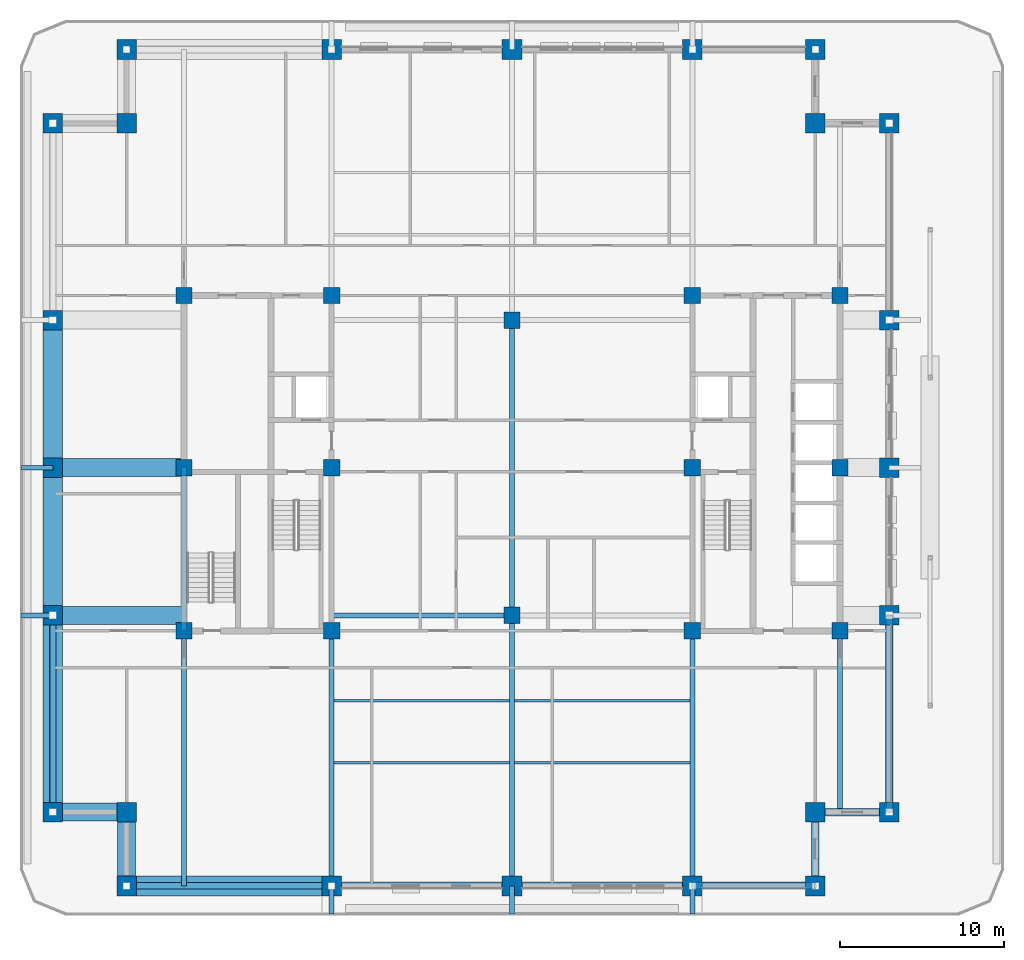
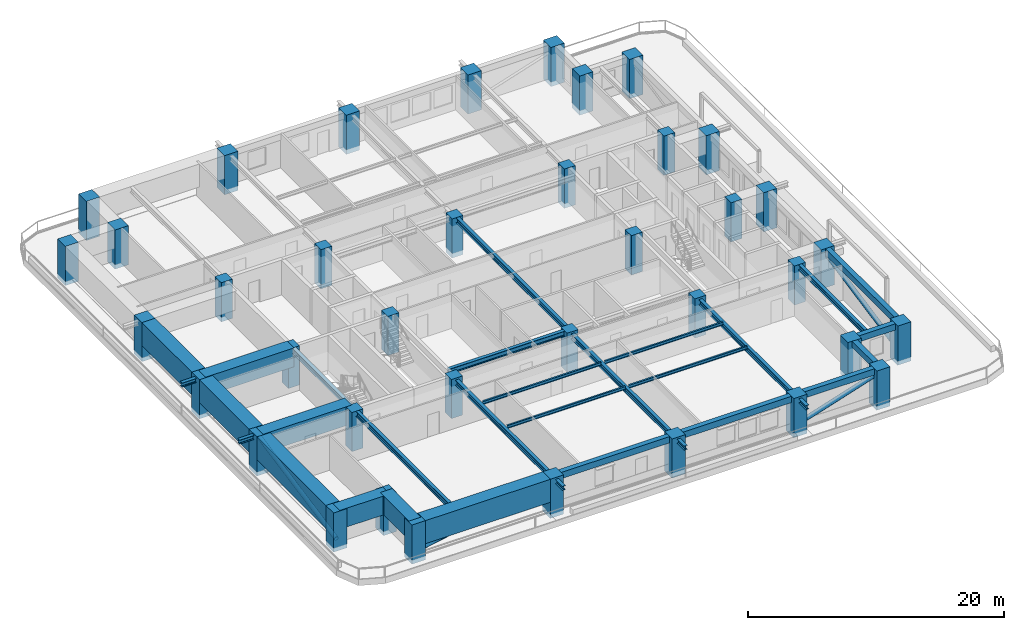
# One storey, part 1 of 17: 38 columns, 31 beams, 4 members.
"""IFC4 building model written with IfcOpenShell, lengths in metres."""

import ifcopenshell
import ifcopenshell.guid

model = None  # the IFC model being written
_history = None  # IfcOwnerHistory: only IFC2X3 demands one
_inside = {}  # id of a spatial element -> (the spatial element, [elements in it])
_under = {}  # id of a project, library or spatial element -> (it, [spatial elements below it])
_declared = {}  # id of a project -> (the project, [libraries it declares])
_typed = {}  # id of a type object -> (the type object, [elements of that type])
_made_of = {}  # id of a material, layer set ... -> (it, [elements and type objects made of it])


def new_model(schema):
    """Start an empty IFC model of exactly this schema.

    Asked for "IFC4X3", IfcOpenShell would pick the latest addendum, in which some entities
    have other attributes; the version numbers below select the first issue.
    IFC2X3 requires an IfcOwnerHistory on every rooted entity: one is made here for all.
    """
    global model, _history
    if schema == "IFC4X3":
        model = ifcopenshell.file(schema_version=(4, 3, 0, 0))
    else:
        model = ifcopenshell.file(schema=schema)
    _inside.clear()
    _under.clear()
    _declared.clear()
    _typed.clear()
    _made_of.clear()
    _history = None
    if model.schema == "IFC2X3":
        org = make("IfcOrganization", Name="unknown")
        user = make(
            "IfcPersonAndOrganization",
            ThePerson=make("IfcPerson", FamilyName="unknown"),
            TheOrganization=org,
        )
        app = make(
            "IfcApplication",
            ApplicationDeveloper=org,
            Version="unknown",
            ApplicationFullName="unknown",
            ApplicationIdentifier="unknown",
        )
        _history = make(
            "IfcOwnerHistory",
            OwningUser=user,
            OwningApplication=app,
            ChangeAction="ADDED",
            CreationDate=0,
        )
    return model


def make(cls, **values):
    """One entity of the class cls with the attributes given. An attribute that is None is left unset."""
    return model.create_entity(
        cls, **{name: value for name, value in values.items() if value is not None}
    )


def rooted(cls, **values):
    """An entity with a GlobalId (a new one), such as an element, a storey or a relation."""
    return make(cls, GlobalId=ifcopenshell.guid.new(), OwnerHistory=_history, **values)


def si_unit(unit_type, name, prefix=None):
    """IfcSIUnit, for example si_unit("LENGTHUNIT", "METRE", prefix="MILLI")."""
    return make("IfcSIUnit", UnitType=unit_type, Prefix=prefix, Name=name)


def assignment(units):
    """IfcUnitAssignment: the units of a project."""
    return None if units is None else make("IfcUnitAssignment", Units=units)


def point(xyz):
    """IfcCartesianPoint."""
    return None if xyz is None else make("IfcCartesianPoint", Coordinates=xyz)


def direction(xyz):
    """IfcDirection."""
    return None if xyz is None else make("IfcDirection", DirectionRatios=xyz)


def frame(location, z_axis=None, x_axis=None):
    """IfcAxis2Placement3D, a coordinate frame: its origin and axes. An axis left out is left unset."""
    return make(
        "IfcAxis2Placement3D",
        Location=point(location),
        Axis=direction(z_axis),
        RefDirection=direction(x_axis),
    )


def frame_2d(location, x_axis=None):
    """IfcAxis2Placement2D, a coordinate frame in the plane: its origin and x axis."""
    return make(
        "IfcAxis2Placement2D", Location=point(location), RefDirection=direction(x_axis)
    )


def origin():
    """The frame at (0, 0, 0) with its axes left unset."""
    return frame((0.0, 0.0, 0.0))


def origin_2d():
    """The frame at (0, 0) in the plane with its x axis left unset."""
    return frame_2d((0.0, 0.0))


def place(relative_to, where):
    """IfcLocalPlacement: puts the frame where relative to a parent placement (None: the world)."""
    return make(
        "IfcLocalPlacement", PlacementRelTo=relative_to, RelativePlacement=where
    )


def context(
    kind, dimensions, precision=None, world=None, true_north=None, identifier=None
):
    """IfcGeometricRepresentationContext, for example the 3D "Model" context."""
    return make(
        "IfcGeometricRepresentationContext",
        ContextIdentifier=identifier,
        ContextType=kind,
        CoordinateSpaceDimension=dimensions,
        Precision=precision,
        WorldCoordinateSystem=world,
        TrueNorth=true_north,
    )


def subcontext(parent, identifier, kind, view, scale=None):
    """IfcGeometricRepresentationSubContext, for example "Body" below "Model"."""
    return make(
        "IfcGeometricRepresentationSubContext",
        ContextIdentifier=identifier,
        ContextType=kind,
        ParentContext=parent,
        TargetScale=scale,
        TargetView=view,
    )


def project(units=None, contexts=None):
    """IfcProject with its units and contexts."""
    return rooted(
        "IfcProject",
        Name="project",
        RepresentationContexts=contexts,
        UnitsInContext=assignment(units),
    )


def spatial(cls, under=None, at=None, **own):
    """A site, building, storey or space (cls), placed at a placement, below another one or the project."""
    s = rooted(cls, ObjectPlacement=at, **own)
    if under is not None:
        _under.setdefault(under.id(), (under, []))[1].append(s)
    return s


def profile(cls, at=None, kind="AREA", **sizes):
    """A parametric profile (cls). Its sizes go by their IFC names, for example OverallWidth=200.0."""
    return make(cls, ProfileType=kind, Position=at, **sizes)


def rectangle(**sizes):
    """IfcRectangleProfileDef."""
    return profile("IfcRectangleProfileDef", **sizes)


def hollow_circle(**sizes):
    """IfcCircleHollowProfileDef."""
    return profile("IfcCircleHollowProfileDef", **sizes)


def i_section(**sizes):
    """IfcIShapeProfileDef."""
    return profile("IfcIShapeProfileDef", **sizes)


def extrude(swept, where, along, depth):
    """IfcExtrudedAreaSolid: the profile swept, set in the frame where, extruded along a direction by depth."""
    return make(
        "IfcExtrudedAreaSolid",
        SweptArea=swept,
        Position=where,
        ExtrudedDirection=direction(along),
        Depth=depth,
    )


def shape(context_of_items, identifier, shape_type, items):
    """IfcShapeRepresentation: the items that make up one representation, for example the "Body"."""
    return make(
        "IfcShapeRepresentation",
        ContextOfItems=context_of_items,
        RepresentationIdentifier=identifier,
        RepresentationType=shape_type,
        Items=items,
    )


def material(Name=None, Category=None):
    """IfcMaterial."""
    return make("IfcMaterial", Name=Name, Category=Category)


def material_profile(
    of_material, cross_section, Name=None, Category=None, Priority=None
):
    """IfcMaterialProfile: a cross section and its material."""
    return make(
        "IfcMaterialProfile",
        Name=Name,
        Material=of_material,
        Profile=cross_section,
        Priority=Priority,
        Category=Category,
    )


def profile_set(profiles, Name=None, composite=None):
    """IfcMaterialProfileSet."""
    return make(
        "IfcMaterialProfileSet",
        Name=Name,
        MaterialProfiles=profiles,
        CompositeProfile=composite,
    )


def made_of(thing, what):
    """Note that an element or type object is made of a material, layer set ...; save() writes the relation."""
    if what is not None:
        _made_of.setdefault(what.id(), (what, []))[1].append(thing)
    return thing


def type_object(cls, material=None, **own):
    """A type object (cls), such as IfcWallType, which elements share."""
    return made_of(rooted(cls, **own), material)


def element(
    cls,
    number,
    at=None,
    inside=None,
    cuts=None,
    type_object=None,
    material=None,
    context=None,
    identifier="Body",
    shape_type=None,
    held_by="IfcProductDefinitionShape",
    body=None,
    shapes=None,
    **own,
):
    """One element of the class cls, such as IfcWall. Its Tag is "e" and its number.

    at: its placement. inside: the storey or other place that contains it. cuts: it is an
    opening in that element (IfcRelVoidsElement). A single representation is given by context,
    identifier, shape_type and body (its items); several are given by shapes. held_by: the class
    of the entity that holds the representations. save() writes the other relations.
    """
    e = rooted(cls, Tag="e%d" % number, ObjectPlacement=at, **own)
    if body is not None:
        shapes = [shape(context, identifier, shape_type, body)]
    if shapes is not None:
        e.Representation = make(held_by, Representations=shapes)
    if inside is not None:
        _inside.setdefault(inside.id(), (inside, []))[1].append(e)
    if cuts is not None:
        rooted(
            "IfcRelVoidsElement", RelatingBuildingElement=cuts, RelatedOpeningElement=e
        )
    if type_object is not None:
        _typed.setdefault(type_object.id(), (type_object, []))[1].append(e)
    return made_of(e, material)


def aggregate(whole, parts):
    """IfcRelAggregates: a whole, such as a stair, and the parts it consists of."""
    return rooted("IfcRelAggregates", RelatingObject=whole, RelatedObjects=parts)


def save(model, path):
    """Write the relations noted so far, then the file.

    IfcRelAggregates (storeys below a building ...), IfcRelContainedInSpatialStructure (elements
    in a storey), IfcRelDefinesByType, IfcRelAssociatesMaterial and IfcRelDeclares: one each for
    every whole, place, type object, material and project.
    """
    for whole, parts in _under.values():
        aggregate(whole, parts)
    for where, things in _inside.values():
        rooted(
            "IfcRelContainedInSpatialStructure",
            RelatedElements=things,
            RelatingStructure=where,
        )
    for kind, things in _typed.values():
        rooted("IfcRelDefinesByType", RelatedObjects=things, RelatingType=kind)
    for what, things in _made_of.values():
        rooted("IfcRelAssociatesMaterial", RelatedObjects=things, RelatingMaterial=what)
    for by, libraries in _declared.values():
        rooted("IfcRelDeclares", RelatingContext=by, RelatedDefinitions=libraries)
    model.write(path)


model = new_model("IFC4")

# Units and contexts
model_context = context("Model", 3, precision=1e-05, world=origin(), true_north=direction((0.0, 1.0)))
body_context = subcontext(model_context, "Body", "Model", "MODEL_VIEW")
ifc_project = project(units=[si_unit("LENGTHUNIT", "METRE"), si_unit("AREAUNIT", "SQUARE_METRE"), si_unit("VOLUMEUNIT", "CUBIC_METRE"), si_unit("PLANEANGLEUNIT", "RADIAN"), si_unit("MASSUNIT", "GRAM", prefix="KILO")], contexts=[model_context])

# Site, building, storey
site_placement = place(None, origin())
site = spatial("IfcSite", under=ifc_project, at=site_placement, CompositionType="ELEMENT")
building_placement = place(site_placement, origin())
building = spatial("IfcBuilding", under=site, at=building_placement, Name="Zulmaris Gate Convention Tower", CompositionType="ELEMENT")
storey_placement = place(building_placement, frame((0.0, 0.0, 121.349853515625)))
storey = spatial("IfcBuildingStorey", under=building, at=storey_placement, Name="L30", CompositionType="ELEMENT", Elevation=121.349853515625)

# Columns
ifc_material_1 = material(Name="Concrete C60/75", Category="concrete")
ifc_material_profile_1 = material_profile(ifc_material_1, rectangle(XDim=1.0, YDim=1.0, at=origin_2d()), Name="RC COL 1000x1000")
ifc_profile_set_1 = profile_set([ifc_material_profile_1], Name="Concrete C60/75")
column_type_1 = type_object("IfcColumnType", Name="COL-RC1000", PredefinedType="COLUMN", material=ifc_profile_set_1)
for number, where, z_axis, x_axis, name in (
    (1, (-20.0, -9.949951171875, -0.425048828125), (0.0, 0.0, 1.0), (1.0, 0.0, 0.0), "L30 Column IN--20.00_-9.95"),
    (2, (-20.0, 10.5, -0.425048828125), (0.0, 0.0, 1.0), (1.0, 0.0, 0.0), "L30 Column IN--20.00_+10.50"),
    (3, (-11.0, -9.949951171875, -0.425048828125), (0.0, 0.0, 1.0), (1.0, 0.0, 0.0), "L30 Column IN--11.00_-9.95"),
    (4, (-11.0, 0.0, -0.425048828125), (0.0, 0.0, 1.0), (1.0, 0.0, 0.0), "L30 Column IN--11.00_+0.00"),
    (5, (-11.0, 10.5, -0.425048828125), (0.0, 0.0, 1.0), (1.0, 0.0, 0.0), "L30 Column IN--11.00_+10.50"),
    (6, (11.0, -9.949951171875, -0.425048828125), (0.0, 0.0, 1.0), (1.0, 0.0, 0.0), "L30 Column IN-+11.00_-9.95"),
    (7, (11.0, 0.0, -0.425048828125), (0.0, 0.0, 1.0), (1.0, 0.0, 0.0), "L30 Column IN-+11.00_+0.00"),
    (8, (11.0, 10.5, -0.425048828125), (0.0, 0.0, 1.0), (1.0, 0.0, 0.0), "L30 Column IN-+11.00_+10.50"),
    (9, (20.0, -9.949951171875, -0.425048828125), (0.0, 0.0, 1.0), (1.0, 0.0, 0.0), "L30 Column IN-+20.00_-9.95"),
    (10, (20.0, 10.5, -0.425048828125), (0.0, 0.0, 1.0), (1.0, 0.0, 0.0), "L30 Column IN-+20.00_+10.50"),
    (11, (0.0, -9.0, -0.425048828125), (0.0, 0.0, 1.0), (1.0, 0.0, 0.0), "L30 Column IN-+0.00_-9.00"),
    (12, (0.0, 9.0, -0.425048828125), (0.0, 0.0, 1.0), (1.0, 0.0, 0.0), "L30 Column IN-+0.00_+9.00"),
    (13, (-20.0, 0.0, -0.425048828125), (0.0, 0.0, 1.0), (1.0, 0.0, 0.0), "L30 Column IN--20.00_+0.00"),
    (14, (20.0, 0.0, -0.425048828125), (0.0, 0.0, 1.0), (1.0, 0.0, 0.0), "L30 Column IN-+20.00_+0.00"),
):
    element("IfcColumn", number, at=place(storey_placement, frame(where, z_axis=z_axis, x_axis=x_axis)), inside=storey, type_object=column_type_1, Name=name, PredefinedType="COLUMN", context=body_context, shape_type="SweptSolid", body=[
        extrude(rectangle(XDim=1.0, YDim=1.0, at=origin_2d()), origin(), (0.0, 0.0, 1.0), 3.7451171875),
    ])
ifc_material_2 = material(Name="Concrete C70/85", Category="concrete")
ifc_material_profile_2 = material_profile(ifc_material_2, rectangle(XDim=1.199951171875, YDim=1.199951171875, at=origin_2d()), Name="RC COL 1200x1200")
ifc_profile_set_2 = profile_set([ifc_material_profile_2], Name="Concrete C70/85")
column_type_2 = type_object("IfcColumnType", Name="COL-RC1200", PredefinedType="COLUMN", material=ifc_profile_set_2)
for number, where, z_axis, x_axis, name in (
    (15, (-23.5, -25.5, -0.425048828125), (0.0, 0.0, 1.0), (1.0, 0.0, 0.0), "L30 Column PT--23.50_-25.50"),
    (16, (-11.0, -25.5, -0.425048828125), (0.0, 0.0, 1.0), (1.0, 0.0, 0.0), "L30 Column PT--11.00_-25.50"),
    (17, (0.0, -25.5, -0.425048828125), (0.0, 0.0, 1.0), (1.0, 0.0, 0.0), "L30 Column PT-+0.00_-25.50"),
    (18, (11.0, -25.5, -0.425048828125), (0.0, 0.0, 1.0), (1.0, 0.0, 0.0), "L30 Column PT-+11.00_-25.50"),
    (19, (18.5, -25.5, -0.425048828125), (0.0, 0.0, 1.0), (1.0, 0.0, 0.0), "L30 Column PT-+18.50_-25.50"),
    (20, (-23.5, 25.5, -0.425048828125), (0.0, 0.0, 1.0), (1.0, 0.0, 0.0), "L30 Column PT--23.50_+25.50"),
    (21, (-11.0, 25.5, -0.425048828125), (0.0, 0.0, 1.0), (1.0, 0.0, 0.0), "L30 Column PT--11.00_+25.50"),
    (22, (0.0, 25.5, -0.425048828125), (0.0, 0.0, 1.0), (1.0, 0.0, 0.0), "L30 Column PT-+0.00_+25.50"),
    (23, (11.0, 25.5, -0.425048828125), (0.0, 0.0, 1.0), (1.0, 0.0, 0.0), "L30 Column PT-+11.00_+25.50"),
    (24, (18.5, 25.5, -0.425048828125), (0.0, 0.0, 1.0), (1.0, 0.0, 0.0), "L30 Column PT-+18.50_+25.50"),
    (25, (-28.0, -21.0, -0.425048828125), (0.0, 0.0, 1.0), (1.0, 0.0, 0.0), "L30 Column PT--28.00_-21.00"),
    (26, (-28.0, -9.0, -0.425048828125), (0.0, 0.0, 1.0), (1.0, 0.0, 0.0), "L30 Column PT--28.00_-9.00"),
    (27, (-28.0, 0.0, -0.425048828125), (0.0, 0.0, 1.0), (1.0, 0.0, 0.0), "L30 Column PT--28.00_+0.00"),
    (28, (-28.0, 9.0, -0.425048828125), (0.0, 0.0, 1.0), (1.0, 0.0, 0.0), "L30 Column PT--28.00_+9.00"),
    (29, (-28.0, 21.0, -0.425048828125), (0.0, 0.0, 1.0), (1.0, 0.0, 0.0), "L30 Column PT--28.00_+21.00"),
    (30, (23.0, -21.0, -0.425048828125), (0.0, 0.0, 1.0), (1.0, 0.0, 0.0), "L30 Column PT-+23.00_-21.00"),
    (31, (23.0, -9.0, -0.425048828125), (0.0, 0.0, 1.0), (1.0, 0.0, 0.0), "L30 Column PT-+23.00_-9.00"),
    (32, (23.0, 0.0, -0.425048828125), (0.0, 0.0, 1.0), (1.0, 0.0, 0.0), "L30 Column PT-+23.00_+0.00"),
    (33, (23.0, 9.0, -0.425048828125), (0.0, 0.0, 1.0), (1.0, 0.0, 0.0), "L30 Column PT-+23.00_+9.00"),
    (34, (23.0, 21.0, -0.425048828125), (0.0, 0.0, 1.0), (1.0, 0.0, 0.0), "L30 Column PT-+23.00_+21.00"),
    (35, (-23.5, -21.0, -0.425048828125), (0.0, 0.0, 1.0), (1.0, 0.0, 0.0), "L30 Column PT--23.50_-21.00"),
    (36, (18.5, -21.0, -0.425048828125), (0.0, 0.0, 1.0), (1.0, 0.0, 0.0), "L30 Column PT-+18.50_-21.00"),
    (37, (18.5, 21.0, -0.425048828125), (0.0, 0.0, 1.0), (1.0, 0.0, 0.0), "L30 Column PT-+18.50_+21.00"),
    (38, (-23.5, 21.0, -0.425048828125), (0.0, 0.0, 1.0), (1.0, 0.0, 0.0), "L30 Column PT--23.50_+21.00"),
):
    element("IfcColumn", number, at=place(storey_placement, frame(where, z_axis=z_axis, x_axis=x_axis)), inside=storey, type_object=column_type_2, Name=name, PredefinedType="COLUMN", context=body_context, shape_type="SweptSolid", body=[
        extrude(rectangle(XDim=1.199951171875, YDim=1.199951171875, at=origin_2d()), origin(), (0.0, 0.0, 1.0), 3.7451171875),
    ])

# Beams
ifc_material_3 = material(Name="Steel S355", Category="steel")
ifc_material_profile_3 = material_profile(ifc_material_3, i_section(OverallWidth=0.300048828125, OverallDepth=0.39990234375, WebThickness=0.013427734375, FlangeThickness=0.02392578125, FilletRadius=0.027099609375, at=origin_2d()), Name="HEB 400")
ifc_profile_set_3 = profile_set([ifc_material_profile_3], Name="Steel S355")
beam_type_1 = type_object("IfcBeamType", Name="BM-HEB400", PredefinedType="BEAM", material=ifc_profile_set_3)
for number, where, z_axis, x_axis, name in (
    (39, (-11.0, -27.199951171875, 2.943115234375), (0.0, 1.0, 0.0), (-1.0, 0.0, 0.0), "L30 Beam TBRK-L30-S--11"),
    (40, (0.0, -27.199951171875, 2.943115234375), (0.0, 1.0, 0.0), (-1.0, 0.0, 0.0), "L30 Beam TBRK-L30-S-+0"),
    (41, (11.0, -27.199951171875, 2.943115234375), (0.0, 1.0, 0.0), (-1.0, 0.0, 0.0), "L30 Beam TBRK-L30-S-+11"),
):
    element("IfcBeam", number, at=place(storey_placement, frame(where, z_axis=z_axis, x_axis=x_axis)), inside=storey, type_object=beam_type_1, Name=name, PredefinedType="BEAM", context=body_context, shape_type="SweptSolid", body=[
        extrude(i_section(OverallWidth=0.300048828125, OverallDepth=0.39990234375, WebThickness=0.013427734375, FlangeThickness=0.02392578125, FilletRadius=0.027099609375, at=origin_2d()), origin(), (0.0, 0.0, 1.0), 1.699951171875),
    ])
for number, where, z_axis, x_axis, name in (
    (42, (-29.89990234375, -9.0, 2.97998046875), (1.0, 0.0, 0.0), (0.0, 1.0, 0.0), "L30 Beam TBRK-L30-W--9"),
    (43, (-29.89990234375, 0.0, 2.97998046875), (1.0, 0.0, 0.0), (0.0, 1.0, 0.0), "L30 Beam TBRK-L30-W-+0"),
):
    element("IfcBeam", number, at=place(storey_placement, frame(where, z_axis=z_axis, x_axis=x_axis)), inside=storey, type_object=beam_type_1, Name=name, PredefinedType="BEAM", context=body_context, shape_type="SweptSolid", body=[
        extrude(i_section(OverallWidth=0.300048828125, OverallDepth=0.39990234375, WebThickness=0.013427734375, FlangeThickness=0.02392578125, FilletRadius=0.027099609375, at=origin_2d()), origin(), (0.0, 0.0, 1.0), 1.89990234375),
    ])
ifc_material_profile_4 = material_profile(ifc_material_3, i_section(OverallWidth=0.300048828125, OverallDepth=0.5, WebThickness=0.014404296875, FlangeThickness=0.028076171875, FilletRadius=0.027099609375, at=origin_2d()), Name="HEB 500")
ifc_profile_set_4 = profile_set([ifc_material_profile_4], Name="Steel S355")
beam_type_2 = type_object("IfcBeamType", Name="BM-HEB500", PredefinedType="BEAM", material=ifc_profile_set_4)
beam_1_placement = place(storey_placement, frame((-11.0, -9.0, 3.068115234375), z_axis=(1.0, 0.0, 0.0), x_axis=(0.0, 1.0, 0.0)))
element("IfcBeam", 44, at=beam_1_placement, inside=storey, type_object=beam_type_2, Name="L30 Beam BM-L30-G01", PredefinedType="BEAM", context=body_context, shape_type="SweptSolid", body=[
    extrude(i_section(OverallWidth=0.300048828125, OverallDepth=0.5, WebThickness=0.014404296875, FlangeThickness=0.028076171875, FilletRadius=0.027099609375, at=origin_2d()), origin(), (0.0, 0.0, 1.0), 11.0),
])
beam_2_placement = place(storey_placement, frame((0.0, -25.5, 2.89306640625), z_axis=(0.0, 1.0, 0.0), x_axis=(-1.0, 0.0, 0.0)))
element("IfcBeam", 45, at=beam_2_placement, inside=storey, type_object=beam_type_2, Name="L30 Beam BM-L30-G05", PredefinedType="BEAM", context=body_context, shape_type="SweptSolid", body=[
    extrude(i_section(OverallWidth=0.300048828125, OverallDepth=0.5, WebThickness=0.014404296875, FlangeThickness=0.028076171875, FilletRadius=0.027099609375, at=origin_2d()), origin(), (0.0, 0.0, 1.0), 16.5),
])
beam_3_placement = place(storey_placement, frame((0.0, -9.0, 3.068115234375), z_axis=(0.0, 1.0, 0.0), x_axis=(-1.0, 0.0, 0.0)))
element("IfcBeam", 46, at=beam_3_placement, inside=storey, type_object=beam_type_2, Name="L30 Beam BM-L30-G06", PredefinedType="BEAM", context=body_context, shape_type="SweptSolid", body=[
    extrude(i_section(OverallWidth=0.300048828125, OverallDepth=0.5, WebThickness=0.014404296875, FlangeThickness=0.028076171875, FilletRadius=0.027099609375, at=origin_2d()), origin(), (0.0, 0.0, 1.0), 18.0),
])
for number, where, z_axis, x_axis, name in (
    (47, (-11.0, -25.5, 2.89306640625), (0.0, 1.0, 0.0), (-1.0, 0.0, 0.0), "L30 Beam BM-L30-G08"),
    (48, (11.0, -25.5, 2.89306640625), (0.0, 1.0, 0.0), (-1.0, 0.0, 0.0), "L30 Beam BM-L30-G10"),
    (49, (-20.0, -25.5, 3.068115234375), (0.0, 1.0, 0.0), (-1.0, 0.0, 0.0), "L30 Beam BM-L30-G12"),
):
    element("IfcBeam", number, at=place(storey_placement, frame(where, z_axis=z_axis, x_axis=x_axis)), inside=storey, type_object=beam_type_2, Name=name, PredefinedType="BEAM", context=body_context, shape_type="SweptSolid", body=[
        extrude(i_section(OverallWidth=0.300048828125, OverallDepth=0.5, WebThickness=0.014404296875, FlangeThickness=0.028076171875, FilletRadius=0.027099609375, at=origin_2d()), origin(), (0.0, 0.0, 1.0), 15.550048828125),
    ])
beam_4_placement = place(storey_placement, frame((20.0, -21.0, 3.068115234375), z_axis=(0.0, 1.0, 0.0), x_axis=(-1.0, 0.0, 0.0)))
element("IfcBeam", 50, at=beam_4_placement, inside=storey, type_object=beam_type_2, Name="L30 Beam BM-L30-G14", PredefinedType="BEAM", context=body_context, shape_type="SweptSolid", body=[
    extrude(i_section(OverallWidth=0.300048828125, OverallDepth=0.5, WebThickness=0.014404296875, FlangeThickness=0.028076171875, FilletRadius=0.027099609375, at=origin_2d()), origin(), (0.0, 0.0, 1.0), 11.050048828125),
])
beam_5_placement = place(storey_placement, frame((-20.0, -9.949951171875, 3.068115234375), z_axis=(0.0, 1.0, 0.0), x_axis=(-1.0, 0.0, 0.0)))
element("IfcBeam", 51, at=beam_5_placement, inside=storey, type_object=beam_type_2, Name="L30 Beam BM-L30-G26", PredefinedType="BEAM", context=body_context, shape_type="SweptSolid", body=[
    extrude(i_section(OverallWidth=0.300048828125, OverallDepth=0.5, WebThickness=0.014404296875, FlangeThickness=0.028076171875, FilletRadius=0.027099609375, at=origin_2d()), origin(), (0.0, 0.0, 1.0), 9.949951171875),
])
ifc_material_4 = material(Name="Precast concrete C50/60", Category="concrete")
ifc_material_profile_5 = material_profile(ifc_material_4, rectangle(XDim=0.449951171875, YDim=0.60009765625, at=origin_2d()), Name="RC SPANDREL 450x600")
ifc_profile_set_5 = profile_set([ifc_material_profile_5], Name="Precast concrete C50/60")
beam_type_3 = type_object("IfcBeamType", Name="BM-SP450x600", PredefinedType="SPANDREL", material=ifc_profile_set_5)
for number, where, z_axis, x_axis, name in (
    (52, (-11.0, -25.5, 3.02001953125), (1.0, 0.0, 0.0), (0.0, 1.0, 0.0), "L30 Spandrel SP-L30-02"),
    (53, (0.0, -25.5, 3.02001953125), (1.0, 0.0, 0.0), (0.0, 1.0, 0.0), "L30 Spandrel SP-L30-03"),
):
    element("IfcBeam", number, at=place(storey_placement, frame(where, z_axis=z_axis, x_axis=x_axis)), inside=storey, type_object=beam_type_3, Name=name, PredefinedType="SPANDREL", context=body_context, shape_type="SweptSolid", body=[
        extrude(rectangle(XDim=0.449951171875, YDim=0.60009765625, at=origin_2d()), origin(), (0.0, 0.0, 1.0), 11.0),
    ])
beam_6_placement = place(storey_placement, frame((11.0, -25.5, 3.02001953125), z_axis=(1.0, 0.0, 0.0), x_axis=(0.0, 1.0, 0.0)))
element("IfcBeam", 54, at=beam_6_placement, inside=storey, type_object=beam_type_3, Name="L30 Spandrel SP-L30-04", PredefinedType="SPANDREL", context=body_context, shape_type="SweptSolid", body=[
    extrude(rectangle(XDim=0.449951171875, YDim=0.60009765625, at=origin_2d()), origin(), (0.0, 0.0, 1.0), 7.5),
])
for number, where, z_axis, x_axis, name in (
    (55, (18.5, -25.5, 3.02001953125), (0.0, 1.0, 0.0), (-1.0, 0.0, 0.0), "L30 Spandrel SP-L30-05"),
    (56, (18.5, -21.0, 3.02001953125), (1.0, 0.0, 0.0), (0.0, 1.0, 0.0), "L30 Spandrel SP-L30-06"),
):
    element("IfcBeam", number, at=place(storey_placement, frame(where, z_axis=z_axis, x_axis=x_axis)), inside=storey, type_object=beam_type_3, Name=name, PredefinedType="SPANDREL", context=body_context, shape_type="SweptSolid", body=[
        extrude(rectangle(XDim=0.449951171875, YDim=0.60009765625, at=origin_2d()), origin(), (0.0, 0.0, 1.0), 4.5),
    ])
beam_7_placement = place(storey_placement, frame((23.0, -21.0, 3.02001953125), z_axis=(0.0, 1.0, 0.0), x_axis=(-1.0, 0.0, 0.0)))
element("IfcBeam", 57, at=beam_7_placement, inside=storey, type_object=beam_type_3, Name="L30 Spandrel SP-L30-07", PredefinedType="SPANDREL", context=body_context, shape_type="SweptSolid", body=[
    extrude(rectangle(XDim=0.449951171875, YDim=0.60009765625, at=origin_2d()), origin(), (0.0, 0.0, 1.0), 12.0),
])
ifc_material_5 = material(Name="Concrete C80/95", Category="concrete")
ifc_material_profile_6 = material_profile(ifc_material_5, rectangle(XDim=1.10009765625, YDim=1.800048828125, at=origin_2d()), Name="RC TRANSFER 1100x1800")
ifc_profile_set_6 = profile_set([ifc_material_profile_6], Name="Concrete C80/95")
beam_type_4 = type_object("IfcBeamType", Name="BM-XFER1800", PredefinedType="BEAM", material=ifc_profile_set_6)
for number, where, z_axis, x_axis, name in (
    (58, (-28.0, -21.0, 2.420166015625), (1.0, 0.0, 0.0), (0.0, 1.0, 0.0), "L30 Beam SP-L30-23"),
    (59, (-23.5, -21.0, 2.420166015625), (0.0, -1.0, 0.0), (1.0, 0.0, 0.0), "L30 Beam SP-L30-24"),
):
    element("IfcBeam", number, at=place(storey_placement, frame(where, z_axis=z_axis, x_axis=x_axis)), inside=storey, type_object=beam_type_4, Name=name, PredefinedType="BEAM", context=body_context, shape_type="SweptSolid", body=[
        extrude(rectangle(XDim=1.10009765625, YDim=1.800048828125, at=origin_2d()), origin(), (0.0, 0.0, 1.0), 4.5),
    ])
for number, where, z_axis, x_axis, name in (
    (60, (-28.0, -9.0, 2.420166015625), (1.0, 0.0, 0.0), (0.0, 1.0, 0.0), "L30 Beam BM-L30-G16"),
    (61, (-28.0, 0.0, 2.420166015625), (1.0, 0.0, 0.0), (0.0, 1.0, 0.0), "L30 Beam BM-L30-G17"),
):
    element("IfcBeam", number, at=place(storey_placement, frame(where, z_axis=z_axis, x_axis=x_axis)), inside=storey, type_object=beam_type_4, Name=name, PredefinedType="BEAM", context=body_context, shape_type="SweptSolid", body=[
        extrude(rectangle(XDim=1.10009765625, YDim=1.800048828125, at=origin_2d()), origin(), (0.0, 0.0, 1.0), 8.0),
    ])
ifc_material_profile_7 = material_profile(ifc_material_5, rectangle(XDim=1.199951171875, YDim=2.199951171875, at=origin_2d()), Name="RC TRANSFER 1200x2200")
ifc_profile_set_7 = profile_set([ifc_material_profile_7], Name="Concrete C80/95")
beam_type_5 = type_object("IfcBeamType", Name="BM-XFER2200", PredefinedType="BEAM", material=ifc_profile_set_7)
beam_8_placement = place(storey_placement, frame((-23.5, -25.5, 2.219970703125), z_axis=(1.0, 0.0, 0.0), x_axis=(0.0, 1.0, 0.0)))
element("IfcBeam", 62, at=beam_8_placement, inside=storey, type_object=beam_type_5, Name="L30 Beam SP-L30-01", PredefinedType="BEAM", context=body_context, shape_type="SweptSolid", body=[
    extrude(rectangle(XDim=1.199951171875, YDim=2.199951171875, at=origin_2d()), origin(), (0.0, 0.0, 1.0), 12.5),
])
for number, where, z_axis, x_axis, name in (
    (63, (-28.0, 9.0, 2.219970703125), (0.0, -1.0, 0.0), (1.0, 0.0, 0.0), "L30 Beam SP-L30-20"),
    (64, (-28.0, 0.0, 2.219970703125), (0.0, -1.0, 0.0), (1.0, 0.0, 0.0), "L30 Beam SP-L30-21"),
):
    element("IfcBeam", number, at=place(storey_placement, frame(where, z_axis=z_axis, x_axis=x_axis)), inside=storey, type_object=beam_type_5, Name=name, PredefinedType="BEAM", context=body_context, shape_type="SweptSolid", body=[
        extrude(rectangle(XDim=1.199951171875, YDim=2.199951171875, at=origin_2d()), origin(), (0.0, 0.0, 1.0), 9.0),
    ])
beam_9_placement = place(storey_placement, frame((-28.0, -9.0, 2.219970703125), z_axis=(0.0, -1.0, 0.0), x_axis=(1.0, 0.0, 0.0)))
element("IfcBeam", 65, at=beam_9_placement, inside=storey, type_object=beam_type_5, Name="L30 Beam SP-L30-22", PredefinedType="BEAM", context=body_context, shape_type="SweptSolid", body=[
    extrude(rectangle(XDim=1.199951171875, YDim=2.199951171875, at=origin_2d()), origin(), (0.0, 0.0, 1.0), 12.0),
])

# Members
ifc_material_6 = material(Name="Steel S460", Category="steel")
ifc_material_profile_8 = material_profile(ifc_material_6, hollow_circle(Radius=0.203125, WallThickness=0.02001953125, at=origin_2d()), Name="CHS 406.4x20")
ifc_profile_set_8 = profile_set([ifc_material_profile_8], Name="Steel S460")
member_type = type_object("IfcMemberType", Name="BR-CHS406", PredefinedType="BRACE", material=ifc_profile_set_8)
for number, where, z_axis, x_axis, name in (
    (66, (-28.0, -21.0, 0.300048828125), (0.0, 0.980582210276, 0.196108462057), (-1.0, 0.0, 0.0), "L30 Perimeter Tube Diagonal SW-W"),
    (67, (23.0, -21.0, 0.300048828125), (0.0, 0.980582210276, 0.196108462057), (-1.0, 0.0, 0.0), "L30 Perimeter Tube Diagonal SE-E"),
):
    element("IfcMember", number, at=place(storey_placement, frame(where, z_axis=z_axis, x_axis=x_axis)), inside=storey, type_object=member_type, Name=name, PredefinedType="BRACE", context=body_context, shape_type="SweptSolid", body=[
        extrude(hollow_circle(Radius=0.203125, WallThickness=0.02001953125, at=origin_2d()), origin(), (0.0, 0.0, 1.0), 12.237548828125),
    ])
member_1_placement = place(storey_placement, frame((-23.5, -25.5, 0.300048828125), z_axis=(0.982063862241, 0.0, 0.188548589176), x_axis=(0.0, 1.0, 0.0)))
element("IfcMember", 68, at=member_1_placement, inside=storey, type_object=member_type, Name="L30 Perimeter Tube Diagonal SW-S", PredefinedType="BRACE", context=body_context, shape_type="SweptSolid", body=[
    extrude(hollow_circle(Radius=0.203125, WallThickness=0.02001953125, at=origin_2d()), origin(), (0.0, 0.0, 1.0), 12.728271484375),
])
member_2_placement = place(storey_placement, frame((11.0, -25.5, 0.300048828125), z_axis=(0.95242774696, 0.0, 0.304764477624), x_axis=(0.0, 1.0, 0.0)))
element("IfcMember", 69, at=member_2_placement, inside=storey, type_object=member_type, Name="L30 Perimeter Tube Diagonal SE-S", PredefinedType="BRACE", context=body_context, shape_type="SweptSolid", body=[
    extrude(hollow_circle(Radius=0.203125, WallThickness=0.02001953125, at=origin_2d()), origin(), (0.0, 0.0, 1.0), 7.87451171875),
])

# Beams
ifc_material_profile_9 = material_profile(ifc_material_3, i_section(OverallWidth=0.14990234375, OverallDepth=0.300048828125, WebThickness=0.007080078125, FlangeThickness=0.0107421875, FilletRadius=0.014892578125, at=origin_2d()), Name="IPE 300")
ifc_profile_set_9 = profile_set([ifc_material_profile_9], Name="Steel S355")
beam_type_6 = type_object("IfcBeamType", Name="JT-IPE300", PredefinedType="JOIST", material=ifc_profile_set_9)
for number, where, z_axis, x_axis, name in (
    (70, (-10.85009765625, -18.0, 3.16796875), (1.0, 0.0, 0.0), (0.0, 1.0, 0.0), "L30 Joist JT-L30-CW--18.0"),
    (71, (0.14990234375, -18.0, 3.16796875), (1.0, 0.0, 0.0), (0.0, 1.0, 0.0), "L30 Joist JT-L30-CE--18.0"),
    (72, (-10.85009765625, -14.199951171875, 3.16796875), (1.0, 0.0, 0.0), (0.0, 1.0, 0.0), "L30 Joist JT-L30-CW--14.2"),
    (73, (0.14990234375, -14.199951171875, 3.16796875), (1.0, 0.0, 0.0), (0.0, 1.0, 0.0), "L30 Joist JT-L30-CE--14.2"),
):
    element("IfcBeam", number, at=place(storey_placement, frame(where, z_axis=z_axis, x_axis=x_axis)), inside=storey, type_object=beam_type_6, Name=name, PredefinedType="JOIST", context=body_context, shape_type="SweptSolid", body=[
        extrude(i_section(OverallWidth=0.14990234375, OverallDepth=0.300048828125, WebThickness=0.007080078125, FlangeThickness=0.0107421875, FilletRadius=0.014892578125, at=origin_2d()), origin(), (0.0, 0.0, 1.0), 10.7001953125),
    ])

save(model, "model.ifc")
